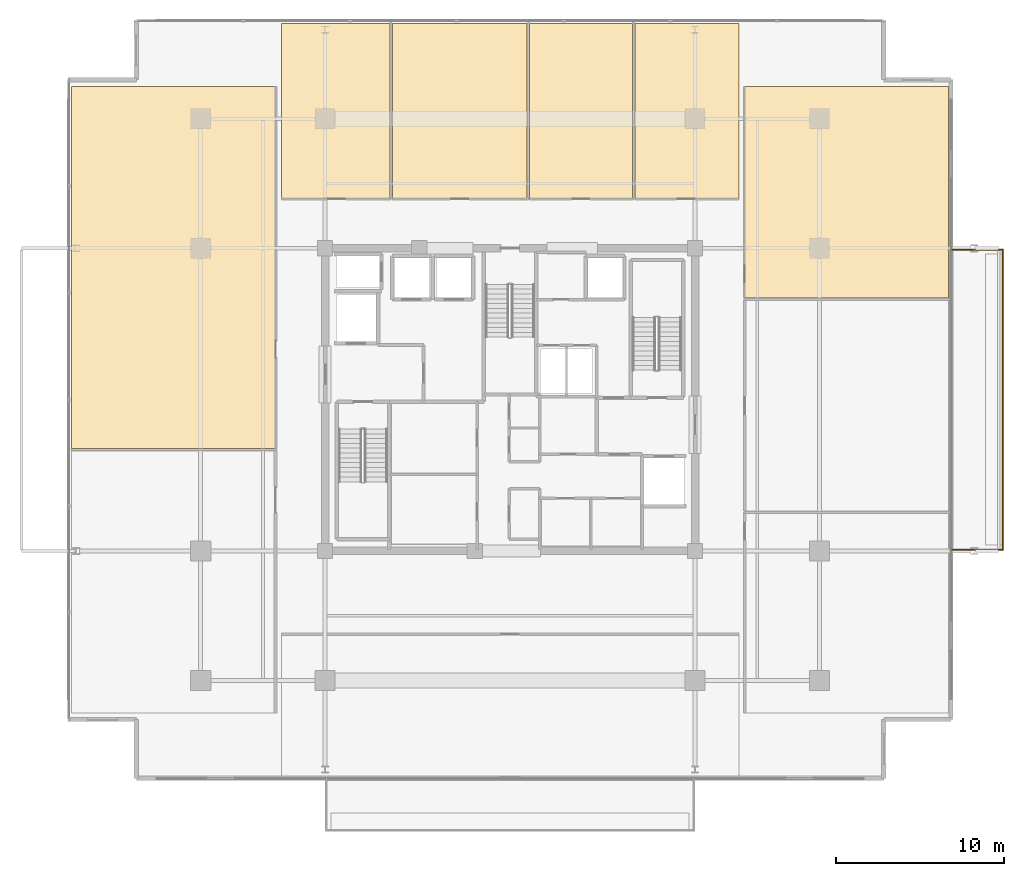
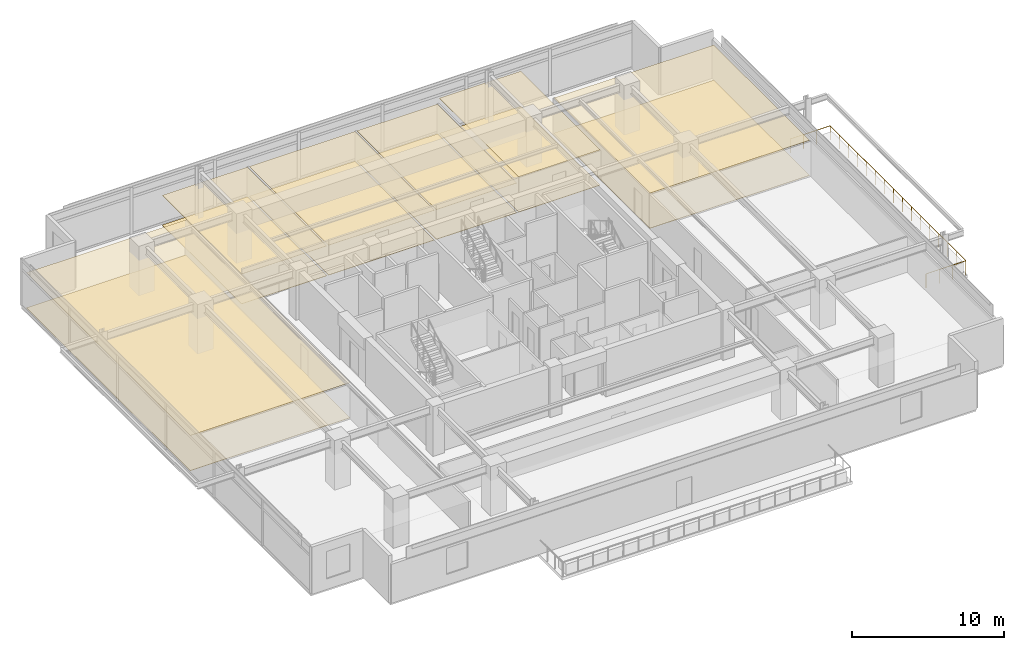
# One storey, part 23 of 23: 12 coverings, 1 railing.
"""IFC4 building model written with IfcOpenShell, lengths in metres."""

from ifc_helpers import new_model, si_unit, direction, frame, origin, origin_2d, place, context, subcontext, project, spatial, polyline, circle, outline, extrude, material, layer, layer_set, type_object, element, save


model = new_model("IFC4")

# Units and contexts
model_context = context("Model", 3, precision=1e-05, world=origin(), true_north=direction((0.0, 1.0)))
body_context = subcontext(model_context, "Body", "Model", "MODEL_VIEW")
ifc_project = project(units=[si_unit("LENGTHUNIT", "METRE"), si_unit("AREAUNIT", "SQUARE_METRE"), si_unit("VOLUMEUNIT", "CUBIC_METRE"), si_unit("PLANEANGLEUNIT", "RADIAN"), si_unit("MASSUNIT", "GRAM", prefix="KILO")], contexts=[model_context])

# Site, building, storey
site_placement = place(None, origin())
site = spatial("IfcSite", under=ifc_project, at=site_placement, CompositionType="ELEMENT")
building_placement = place(site_placement, origin())
building = spatial("IfcBuilding", under=site, at=building_placement, Name="Kovane Verandah Tower", CompositionType="ELEMENT")
storey_placement = place(building_placement, frame((0.0, 0.0, 267.199951171875)))
storey = spatial("IfcBuildingStorey", under=building, at=storey_placement, Name="L62", CompositionType="ELEMENT", Elevation=267.199951171875)

# Coverings
ifc_material_1 = material(Name="Perforated Acoustic Mineral-Fibre Ceiling Tile", Category="gypsum")
ifc_layer_1 = layer(ifc_material_1, 0.02490234375)
ifc_layer_set_1 = layer_set([ifc_layer_1], Name="Perforated Acoustic Mineral-Fibre Ceiling Tile")
covering_type_1 = type_object("IfcCoveringType", Name="CV-CEIL-25", PredefinedType="CEILING", material=ifc_layer_set_1)
covering_1_placement = place(storey_placement, frame((0.0, 0.0, 2.39013671875)))
element("IfcCovering", 1, at=covering_1_placement, inside=storey, type_object=covering_type_1, Name="L62 Breakout Pantry N1 Acoustic Ceiling", PredefinedType="CEILING", context=body_context, shape_type="SweptSolid", body=[
    extrude(outline(polyline([(26.39990234375, 39.449951171875), (32.85791015625, 39.449951171875), (32.85791015625, 49.873291015625), (26.39990234375, 49.873291015625), (26.39990234375, 39.449951171875)])), origin(), (0.0, 0.0, 1.0), 0.02490234375),
])
covering_2_placement = place(storey_placement, frame((0.0, 0.0, 2.39013671875)))
element("IfcCovering", 2, at=covering_2_placement, inside=storey, type_object=covering_type_1, Name="L62 Collaboration Hub N2 Acoustic Ceiling", PredefinedType="CEILING", context=body_context, shape_type="SweptSolid", body=[
    extrude(outline(polyline([(32.998046875, 39.449951171875), (41.01806640625, 39.449951171875), (41.01806640625, 49.873291015625), (32.998046875, 49.873291015625), (32.998046875, 39.449951171875)])), origin(), (0.0, 0.0, 1.0), 0.02490234375),
])
covering_3_placement = place(storey_placement, frame((0.0, 0.0, 2.39013671875)))
element("IfcCovering", 3, at=covering_3_placement, inside=storey, type_object=covering_type_1, Name="L62 Document and Print Room N3 Acoustic Ceiling", PredefinedType="CEILING", context=body_context, shape_type="SweptSolid", body=[
    extrude(outline(polyline([(41.157958984375, 39.449951171875), (47.27392578125, 39.449951171875), (47.27392578125, 49.873291015625), (41.157958984375, 49.873291015625), (41.157958984375, 39.449951171875)])), origin(), (0.0, 0.0, 1.0), 0.02490234375),
])
covering_4_placement = place(storey_placement, frame((0.0, 0.0, 2.824951171875)))
element("IfcCovering", 4, at=covering_4_placement, inside=storey, type_object=covering_type_1, Name="L62 Open Plan Office N4 Acoustic Ceiling", PredefinedType="CEILING", context=body_context, shape_type="SweptSolid", body=[
    extrude(outline(polyline([(47.4140625, 39.449951171875), (53.60009765625, 39.449951171875), (53.60009765625, 49.873291015625), (47.4140625, 49.873291015625), (47.4140625, 39.449951171875)])), origin(), (0.0, 0.0, 1.0), 0.025146484375),
])
covering_5_placement = place(storey_placement, frame((0.0, 0.0, 2.824951171875)))
element("IfcCovering", 5, at=covering_5_placement, inside=storey, type_object=covering_type_1, Name="L62 Meeting Room W2 Acoustic Ceiling", PredefinedType="CEILING", context=body_context, shape_type="SweptSolid", body=[
    extrude(outline(polyline([(13.929443359375, 24.59033203125), (26.050048828125, 24.59033203125), (26.050048828125, 46.123291015625), (13.929443359375, 46.123291015625), (13.929443359375, 24.59033203125)])), origin(), (0.0, 0.0, 1.0), 0.025146484375),
])
covering_6_placement = place(storey_placement, frame((0.0, 0.0, 2.824951171875)))
element("IfcCovering", 6, at=covering_6_placement, inside=storey, type_object=covering_type_1, Name="L62 Collaboration Hub E3 Acoustic Ceiling", PredefinedType="CEILING", context=body_context, shape_type="SweptSolid", body=[
    extrude(outline(polyline([(53.949951171875, 33.529541015625), (66.070556640625, 33.529541015625), (66.070556640625, 46.123291015625), (53.949951171875, 46.123291015625), (53.949951171875, 33.529541015625)])), origin(), (0.0, 0.0, 1.0), 0.025146484375),
])
ifc_material_2 = material(Name="Polished Terrazzo and Raised-Access Carpet Tile Finish", Category="concrete")
ifc_layer_2 = layer(ifc_material_2, 0.030029296875)
ifc_layer_set_2 = layer_set([ifc_layer_2], Name="Polished Terrazzo and Raised-Access Carpet Tile Finish")
covering_type_2 = type_object("IfcCoveringType", Name="CV-FLOR-30", PredefinedType="FLOORING", material=ifc_layer_set_2)
covering_7_placement = place(storey_placement, origin())
element("IfcCovering", 7, at=covering_7_placement, inside=storey, type_object=covering_type_2, Name="L62 Breakout Pantry N1 Floor Finish", PredefinedType="FLOORING", context=body_context, shape_type="SweptSolid", body=[
    extrude(outline(polyline([(26.39990234375, 39.449951171875), (32.85791015625, 39.449951171875), (32.85791015625, 49.873291015625), (26.39990234375, 49.873291015625), (26.39990234375, 39.449951171875)])), origin(), (0.0, 0.0, 1.0), 0.030029296875),
])
covering_8_placement = place(storey_placement, origin())
element("IfcCovering", 8, at=covering_8_placement, inside=storey, type_object=covering_type_2, Name="L62 Collaboration Hub N2 Floor Finish", PredefinedType="FLOORING", context=body_context, shape_type="SweptSolid", body=[
    extrude(outline(polyline([(32.998046875, 39.449951171875), (41.01806640625, 39.449951171875), (41.01806640625, 49.873291015625), (32.998046875, 49.873291015625), (32.998046875, 39.449951171875)])), origin(), (0.0, 0.0, 1.0), 0.030029296875),
])
covering_9_placement = place(storey_placement, origin())
element("IfcCovering", 9, at=covering_9_placement, inside=storey, type_object=covering_type_2, Name="L62 Document and Print Room N3 Floor Finish", PredefinedType="FLOORING", context=body_context, shape_type="SweptSolid", body=[
    extrude(outline(polyline([(41.157958984375, 39.449951171875), (47.27392578125, 39.449951171875), (47.27392578125, 49.873291015625), (41.157958984375, 49.873291015625), (41.157958984375, 39.449951171875)])), origin(), (0.0, 0.0, 1.0), 0.030029296875),
])
covering_10_placement = place(storey_placement, origin())
element("IfcCovering", 10, at=covering_10_placement, inside=storey, type_object=covering_type_2, Name="L62 Open Plan Office N4 Floor Finish", PredefinedType="FLOORING", context=body_context, shape_type="SweptSolid", body=[
    extrude(outline(polyline([(47.4140625, 39.449951171875), (53.60009765625, 39.449951171875), (53.60009765625, 49.873291015625), (47.4140625, 49.873291015625), (47.4140625, 39.449951171875)])), origin(), (0.0, 0.0, 1.0), 0.030029296875),
])
covering_11_placement = place(storey_placement, origin())
element("IfcCovering", 11, at=covering_11_placement, inside=storey, type_object=covering_type_2, Name="L62 Meeting Room W2 Floor Finish", PredefinedType="FLOORING", context=body_context, shape_type="SweptSolid", body=[
    extrude(outline(polyline([(13.929443359375, 24.59033203125), (26.050048828125, 24.59033203125), (26.050048828125, 46.123291015625), (13.929443359375, 46.123291015625), (13.929443359375, 24.59033203125)])), origin(), (0.0, 0.0, 1.0), 0.030029296875),
])
covering_12_placement = place(storey_placement, origin())
element("IfcCovering", 12, at=covering_12_placement, inside=storey, type_object=covering_type_2, Name="L62 Collaboration Hub E3 Floor Finish", PredefinedType="FLOORING", context=body_context, shape_type="SweptSolid", body=[
    extrude(outline(polyline([(53.949951171875, 33.529541015625), (66.070556640625, 33.529541015625), (66.070556640625, 46.123291015625), (53.949951171875, 46.123291015625), (53.949951171875, 33.529541015625)])), origin(), (0.0, 0.0, 1.0), 0.030029296875),
])

# Railing
ifc_material_3 = material(Name="Laminated Glass and Pale-Champagne Stainless Balustrade", Category="glass")
railing_type = type_object("IfcRailingType", Name="RL-BAL-1150", PredefinedType="BALUSTRADE", material=ifc_material_3)
railing_placement = place(storey_placement, frame((66.2705078125, 18.580078125, 0.0)))
element("IfcRailing", 13, at=railing_placement, inside=storey, type_object=railing_type, Name="L62 E Verandah Glass Balustrade", PredefinedType="BALUSTRADE", context=body_context, shape_type="SweptSolid", body=[
    extrude(circle(Radius=0.02392578125, at=origin_2d()), frame((0.0, 0.0, 1.1259765625), z_axis=(1.0, 0.0, 0.0), x_axis=(0.0, 1.0, 0.0)), (0.0, 0.0, 1.0), 3.02001953125),
    extrude(circle(Radius=0.02392578125, at=origin_2d()), frame((3.02001953125, 0.0, 1.1259765625), z_axis=(0.0, 1.0, 0.0), x_axis=(-1.0, 0.0, 0.0)), (0.0, 0.0, 1.0), 17.83984375),
    extrude(circle(Radius=0.02392578125, at=origin_2d()), frame((3.02001953125, 17.83984375, 1.1259765625), z_axis=(-1.0, 0.0, 0.0), x_axis=(0.0, -1.0, 0.0)), (0.0, 0.0, 1.0), 3.02001953125),
    extrude(circle(Radius=0.02099609375, at=origin_2d()), origin(), (0.0, 0.0, 1.0), 1.101806640625),
    extrude(circle(Radius=0.02099609375, at=origin_2d()), frame((1.006591796875, 0.0, 0.0)), (0.0, 0.0, 1.0), 1.101806640625),
    extrude(circle(Radius=0.02099609375, at=origin_2d()), frame((2.013427734375, 0.0, 0.0)), (0.0, 0.0, 1.0), 1.101806640625),
    extrude(circle(Radius=0.02099609375, at=origin_2d()), frame((3.02001953125, 0.0, 0.0)), (0.0, 0.0, 1.0), 1.101806640625),
    extrude(circle(Radius=0.02099609375, at=origin_2d()), frame((3.02001953125, 1.189208984375, 0.0)), (0.0, 0.0, 1.0), 1.101806640625),
    extrude(circle(Radius=0.02099609375, at=origin_2d()), frame((3.02001953125, 2.378662109375, 0.0)), (0.0, 0.0, 1.0), 1.101806640625),
    extrude(circle(Radius=0.02099609375, at=origin_2d()), frame((3.02001953125, 3.56787109375, 0.0)), (0.0, 0.0, 1.0), 1.101806640625),
    extrude(circle(Radius=0.02099609375, at=origin_2d()), frame((3.02001953125, 4.75732421875, 0.0)), (0.0, 0.0, 1.0), 1.101806640625),
    extrude(circle(Radius=0.02099609375, at=origin_2d()), frame((3.02001953125, 5.946533203125, 0.0)), (0.0, 0.0, 1.0), 1.101806640625),
    extrude(circle(Radius=0.02099609375, at=origin_2d()), frame((3.02001953125, 7.135986328125, 0.0)), (0.0, 0.0, 1.0), 1.101806640625),
    extrude(circle(Radius=0.02099609375, at=origin_2d()), frame((3.02001953125, 8.3251953125, 0.0)), (0.0, 0.0, 1.0), 1.101806640625),
    extrude(circle(Radius=0.02099609375, at=origin_2d()), frame((3.02001953125, 9.5146484375, 0.0)), (0.0, 0.0, 1.0), 1.101806640625),
    extrude(circle(Radius=0.02099609375, at=origin_2d()), frame((3.02001953125, 10.703857421875, 0.0)), (0.0, 0.0, 1.0), 1.101806640625),
    extrude(circle(Radius=0.02099609375, at=origin_2d()), frame((3.02001953125, 11.893310546875, 0.0)), (0.0, 0.0, 1.0), 1.101806640625),
    extrude(circle(Radius=0.02099609375, at=origin_2d()), frame((3.02001953125, 13.08251953125, 0.0)), (0.0, 0.0, 1.0), 1.101806640625),
    extrude(circle(Radius=0.02099609375, at=origin_2d()), frame((3.02001953125, 14.27197265625, 0.0)), (0.0, 0.0, 1.0), 1.101806640625),
    extrude(circle(Radius=0.02099609375, at=origin_2d()), frame((3.02001953125, 15.461181640625, 0.0)), (0.0, 0.0, 1.0), 1.101806640625),
    extrude(circle(Radius=0.02099609375, at=origin_2d()), frame((3.02001953125, 16.650634765625, 0.0)), (0.0, 0.0, 1.0), 1.101806640625),
    extrude(circle(Radius=0.02099609375, at=origin_2d()), frame((3.02001953125, 17.83984375, 0.0)), (0.0, 0.0, 1.0), 1.101806640625),
    extrude(circle(Radius=0.02099609375, at=origin_2d()), frame((2.013427734375, 17.83984375, 0.0)), (0.0, 0.0, 1.0), 1.101806640625),
    extrude(circle(Radius=0.02099609375, at=origin_2d()), frame((1.006591796875, 17.83984375, 0.0)), (0.0, 0.0, 1.0), 1.101806640625),
    extrude(circle(Radius=0.02099609375, at=origin_2d()), frame((0.0, 17.83984375, 0.0)), (0.0, 0.0, 1.0), 1.101806640625),
])

save(model, "model.ifc")
